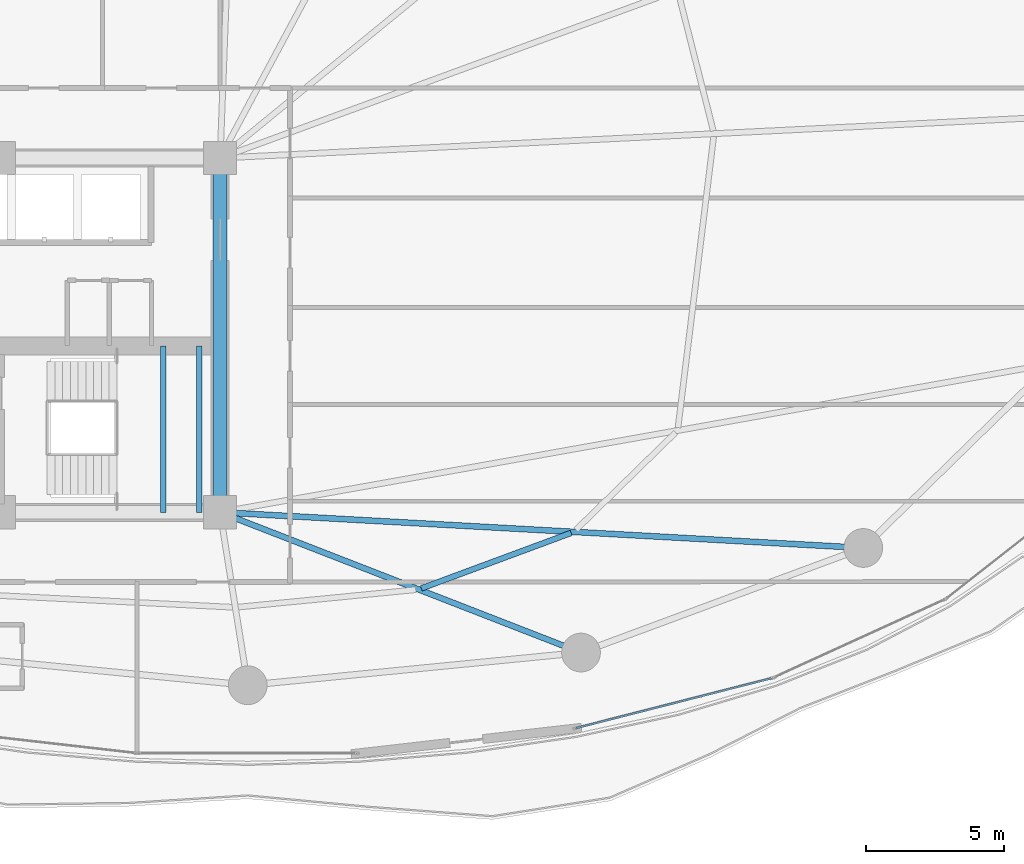
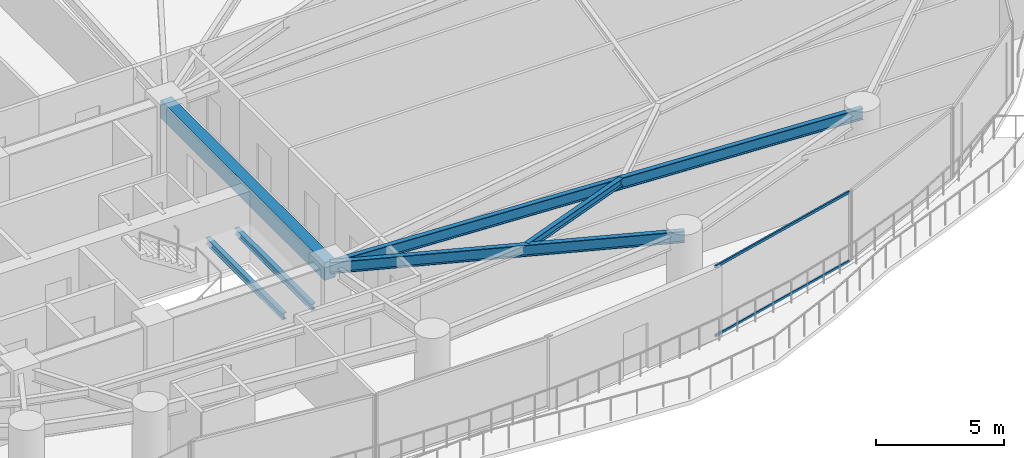
# One storey, part 12 of 33: 6 beams, 2 members, 1 element without a shape of its own.
"""IFC4 building model written with IfcOpenShell, lengths in metres."""

from ifc_helpers import new_model, si_unit, direction, frame, origin, origin_2d, place, context, subcontext, project, spatial, rectangle, hollow_rectangle, i_section, extrude, material, layer, layer_set, material_profile, profile_set, type_object, element, aggregate, save


model = new_model("IFC4")

# Units and contexts
model_context = context("Model", 3, precision=1e-05, world=origin(), true_north=direction((0.0, 1.0)))
body_context = subcontext(model_context, "Body", "Model", "MODEL_VIEW")
ifc_project = project(units=[si_unit("LENGTHUNIT", "METRE"), si_unit("AREAUNIT", "SQUARE_METRE"), si_unit("VOLUMEUNIT", "CUBIC_METRE"), si_unit("PLANEANGLEUNIT", "RADIAN"), si_unit("MASSUNIT", "GRAM", prefix="KILO")], contexts=[model_context])

# Site, building, storey
site_placement = place(None, origin())
site = spatial("IfcSite", under=ifc_project, at=site_placement, CompositionType="ELEMENT")
building_placement = place(site_placement, origin())
building = spatial("IfcBuilding", under=site, at=building_placement, Name="Kazevale Care Tower and Concert Hall", CompositionType="ELEMENT")
storey_placement = place(building_placement, frame((0.0, 0.0, 27.60009765625)))
storey = spatial("IfcBuildingStorey", under=building, at=storey_placement, Name="L06", CompositionType="ELEMENT", Elevation=27.60009765625)

# Curtain wall, members
ifc_material_1 = material(Name="Aluminium 6063-T6 and Low-E Glass", Category="aluminium")
ifc_layer = layer(ifc_material_1, 0.179931640625)
ifc_layer_set = layer_set([ifc_layer], Name="Aluminium 6063-T6 and Low-E Glass")
curtain_wall_type = type_object("IfcCurtainWallType", Name="Sheltered Concave Balcony Curtain Wall CW-5", PredefinedType="NOTDEFINED", material=ifc_layer_set)
curtain_wall_placement = place(storey_placement, origin())
curtain_wall = element("IfcCurtainWall", 1, at=curtain_wall_placement, inside=storey, type_object=curtain_wall_type, Name="cw:L06:f04", PredefinedType="NOTDEFINED")
ifc_material_2 = material(Name="Aluminium 6063-T6", Category="aluminium")
ifc_material_profile_1 = material_profile(ifc_material_2, hollow_rectangle(XDim=0.074951171875, YDim=0.1201171875, WallThickness=0.00390625, at=origin_2d()), Name="ALU75x120x4")
ifc_profile_set_1 = profile_set([ifc_material_profile_1], Name="Aluminium 6063-T6")
member_type = type_object("IfcMemberType", Name="CW-5 Transom ALU75x120x4", PredefinedType="USERDEFINED", material=ifc_profile_set_1)
member_1_placement = place(storey_placement, frame((63.915283203125, 17.599365234375, 0.037353515625), z_axis=(-0.968960816419, -0.24721435283, 0.0), x_axis=(0.24721435283, -0.968960816419, 0.0)))
member_1 = element("IfcMember", 2, at=member_1_placement, type_object=member_type, Name="CW-5 transom 1.1", ObjectType="TRANSOM", PredefinedType="USERDEFINED", context=body_context, shape_type="SweptSolid", body=[
    extrude(hollow_rectangle(XDim=0.074951171875, YDim=0.1201171875, WallThickness=0.00390625, at=origin_2d()), origin(), (0.0, 0.0, 1.0), 7.2763671875),
])
member_2_placement = place(storey_placement, frame((63.915283203125, 17.599365234375, 3.322509765625), z_axis=(-0.968960816419, -0.24721435283, 0.0), x_axis=(0.24721435283, -0.968960816419, 0.0)))
member_2 = element("IfcMember", 3, at=member_2_placement, type_object=member_type, Name="CW-5 transom 1.2", ObjectType="TRANSOM", PredefinedType="USERDEFINED", context=body_context, shape_type="SweptSolid", body=[
    extrude(hollow_rectangle(XDim=0.074951171875, YDim=0.1201171875, WallThickness=0.00390625, at=origin_2d()), origin(), (0.0, 0.0, 1.0), 7.2763671875),
])
aggregate(curtain_wall, [member_1, member_2])

# Beams
ifc_material_3 = material(Name="Concrete C60", Category="concrete")
ifc_material_profile_2 = material_profile(ifc_material_3, rectangle(XDim=0.5, YDim=0.85009765625, at=origin_2d()), Name="RC-B500x850")
ifc_profile_set_2 = profile_set([ifc_material_profile_2], Name="Concrete C60")
beam_type_1 = type_object("IfcBeamType", Name="Core Coupling Beam RC500x850", PredefinedType="LINTEL", material=ifc_profile_set_2)
beam_1_placement = place(storey_placement, frame((44.0, 23.60009765625, 2.934814453125), z_axis=(0.0, 1.0, 0.0), x_axis=(-1.0, 0.0, 0.0)))
element("IfcBeam", 4, at=beam_1_placement, inside=storey, type_object=beam_type_1, Name="beam:L06:coretie:4", PredefinedType="LINTEL", context=body_context, shape_type="SweptSolid", body=[
    extrude(rectangle(XDim=0.5, YDim=0.85009765625, at=origin_2d()), origin(), (0.0, 0.0, 1.0), 12.7998046875),
])
ifc_material_4 = material(Name="Steel ASTM A572 Gr 50", Category="steel")
ifc_material_profile_3 = material_profile(ifc_material_4, i_section(OverallWidth=0.2119140625, OverallDepth=0.5439453125, WebThickness=0.01318359375, FlangeThickness=0.021240234375, at=origin_2d()), Name="W530x123")
ifc_profile_set_3 = profile_set([ifc_material_profile_3], Name="Steel ASTM A572 Gr 50")
beam_type_2 = type_object("IfcBeamType", Name="Radial Floor Girder W530x123", PredefinedType="BEAM", material=ifc_profile_set_3)
beam_2_placement = place(storey_placement, frame((44.0, 23.60009765625, 3.087890625), z_axis=(0.932030212407, -0.362380577792, 0.0), x_axis=(0.362380577792, 0.932030212407, 0.0)))
element("IfcBeam", 5, at=beam_2_placement, inside=storey, type_object=beam_type_2, Name="beam:L06:rad:14", PredefinedType="BEAM", context=body_context, shape_type="SweptSolid", body=[
    extrude(i_section(OverallWidth=0.2119140625, OverallDepth=0.5439453125, WebThickness=0.01318359375, FlangeThickness=0.021240234375, at=origin_2d()), origin(), (0.0, 0.0, 1.0), 13.990966796875),
])
beam_3_placement = place(storey_placement, frame((44.0, 23.60009765625, 3.087890625), z_axis=(0.998462901796, -0.055424125948, 0.0), x_axis=(0.055424125948, 0.998462901796, 0.0)))
element("IfcBeam", 6, at=beam_3_placement, inside=storey, type_object=beam_type_2, Name="beam:L06:rad:15", PredefinedType="BEAM", context=body_context, shape_type="SweptSolid", body=[
    extrude(i_section(OverallWidth=0.2119140625, OverallDepth=0.5439453125, WebThickness=0.01318359375, FlangeThickness=0.021240234375, at=origin_2d()), origin(), (0.0, 0.0, 1.0), 23.27587890625),
])
ifc_material_profile_4 = material_profile(ifc_material_4, i_section(OverallWidth=0.205078125, OverallDepth=0.35400390625, WebThickness=0.009521484375, FlangeThickness=0.016845703125, at=origin_2d()), Name="W360x79")
ifc_profile_set_4 = profile_set([ifc_material_profile_4], Name="Steel ASTM A572 Gr 50")
beam_type_3 = type_object("IfcBeamType", Name="Secondary Floor Joist W360x79", PredefinedType="JOIST", material=ifc_profile_set_4)
beam_4_placement = place(storey_placement, frame((51.27001953125, 20.847900390625, 3.182861328125), z_axis=(0.937698254396, 0.347450692477, 0.0), x_axis=(-0.347450692477, 0.937698254396, 0.0)))
element("IfcBeam", 7, at=beam_4_placement, inside=storey, type_object=beam_type_3, Name="beam:L06:joist:14", PredefinedType="JOIST", context=body_context, shape_type="SweptSolid", body=[
    extrude(i_section(OverallWidth=0.205078125, OverallDepth=0.35400390625, WebThickness=0.009521484375, FlangeThickness=0.016845703125, at=origin_2d()), origin(), (0.0, 0.0, 1.0), 5.773681640625),
])
ifc_material_profile_5 = material_profile(ifc_material_4, i_section(OverallWidth=0.202880859375, OverallDepth=0.302978515625, WebThickness=0.007568359375, FlangeThickness=0.01318359375, at=origin_2d()), Name="W310x60")
ifc_profile_set_5 = profile_set([ifc_material_profile_5], Name="Steel ASTM A572 Gr 50")
beam_type_4 = type_object("IfcBeamType", Name="Stair & Balcony Trimmer W310x60", PredefinedType="BEAM", material=ifc_profile_set_5)
for number, where, z_axis, x_axis, name in (
    (8, (41.949951171875, 23.60009765625, 1.448486328125), (0.0, 1.0, 0.0), (-1.0, 0.0, 0.0), "beam:L06:sttrim:ST2"),
    (9, (43.25, 23.60009765625, 1.448486328125), (0.0, 1.0, 0.0), (-1.0, 0.0, 0.0), "beam:L06:sttrim:ST2b"),
):
    element("IfcBeam", number, at=place(storey_placement, frame(where, z_axis=z_axis, x_axis=x_axis)), inside=storey, type_object=beam_type_4, Name=name, PredefinedType="BEAM", context=body_context, shape_type="SweptSolid", body=[
        extrude(i_section(OverallWidth=0.202880859375, OverallDepth=0.302978515625, WebThickness=0.007568359375, FlangeThickness=0.01318359375, at=origin_2d()), origin(), (0.0, 0.0, 1.0), 6.0),
    ])

save(model, "model.ifc")
